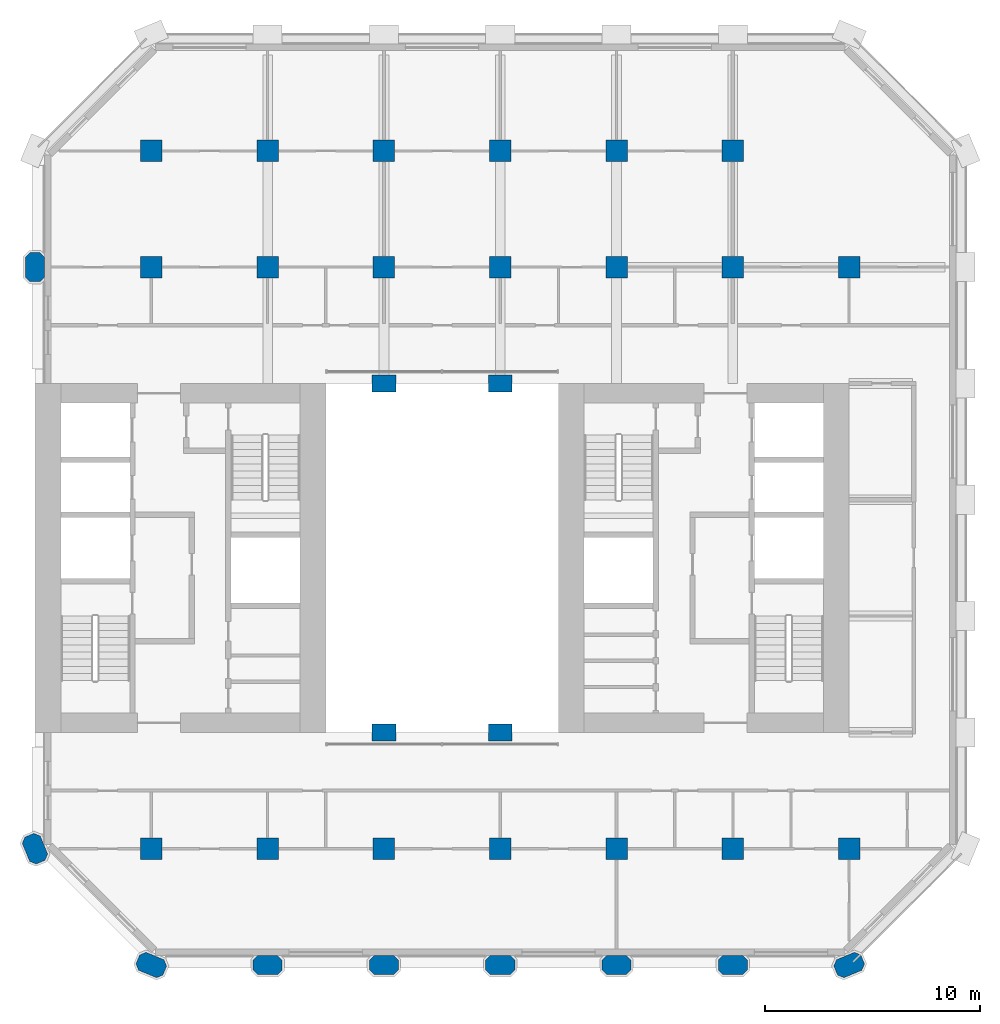
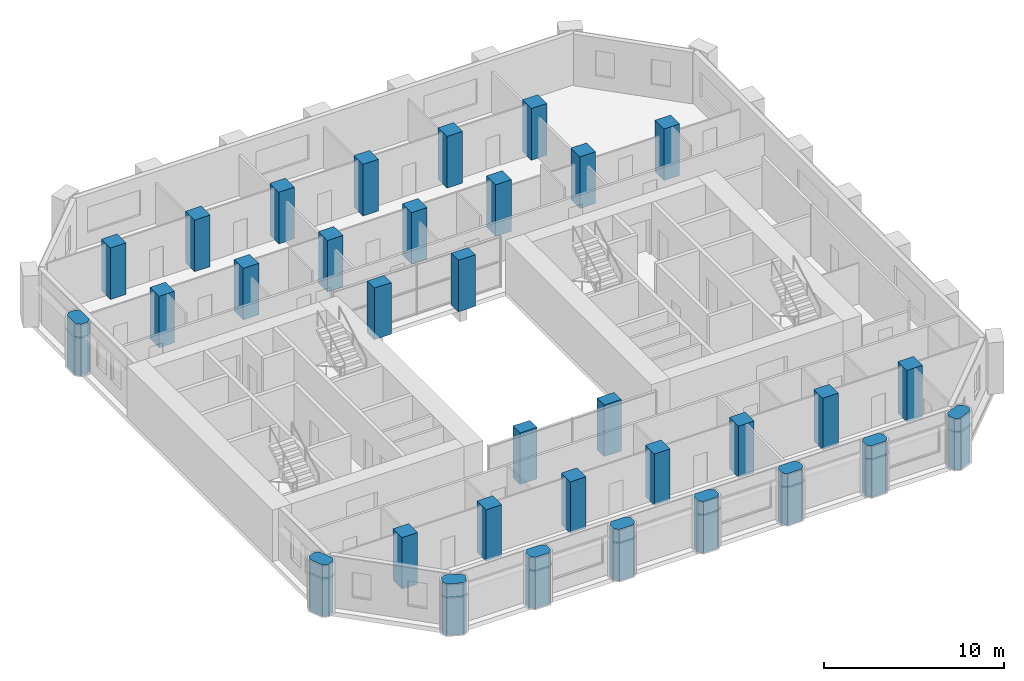
# One storey, part 1 of 11: 33 columns.
"""IFC4 building model written with IfcOpenShell, lengths in metres."""

from ifc_helpers import new_model, si_unit, direction, frame, origin, origin_2d, place, context, subcontext, project, spatial, polyline, rectangle, outline, extrude, material, material_profile, profile_set, type_object, element, save


model = new_model("IFC4")

# Units and contexts
model_context = context("Model", 3, precision=1e-05, world=origin(), true_north=direction((0.0, 1.0)))
body_context = subcontext(model_context, "Body", "Model", "MODEL_VIEW")
ifc_project = project(units=[si_unit("LENGTHUNIT", "METRE"), si_unit("AREAUNIT", "SQUARE_METRE"), si_unit("VOLUMEUNIT", "CUBIC_METRE"), si_unit("PLANEANGLEUNIT", "RADIAN"), si_unit("MASSUNIT", "GRAM", prefix="KILO")], contexts=[model_context])

# Site, building, storey
site_placement = place(None, origin())
site = spatial("IfcSite", under=ifc_project, at=site_placement, CompositionType="ELEMENT")
building_placement = place(site_placement, origin())
building = spatial("IfcBuilding", under=site, at=building_placement, Name="Tabaq Tower and Sports Hall", CompositionType="ELEMENT")
storey_placement = place(building_placement, frame((0.0, 0.0, 76.39990234375)))
storey = spatial("IfcBuildingStorey", under=building, at=storey_placement, Name="L17", CompositionType="ELEMENT", Elevation=76.39990234375)

# Columns
ifc_material_1 = material(Name="Concrete C60/75", Category="concrete")
ifc_material_profile_1 = material_profile(ifc_material_1, rectangle(XDim=1.10009765625, YDim=0.800048828125, at=origin_2d()), Name="ATRIUM COLUMN 1100x800")
ifc_profile_set_1 = profile_set([ifc_material_profile_1], Name="Concrete C60/75")
column_type_1 = type_object("IfcColumnType", Name="RC COLUMN ATRIUM COLUMN 1100x800 C60/75", PredefinedType="COLUMN", material=ifc_profile_set_1)
for number, where, z_axis, x_axis, name in (
    (1, (21.60009765625, 16.199951171875, 0.0), (0.0, 0.0, 1.0), (1.0, 0.0, 0.0), "Atrium Column 5/D L17"),
    (2, (27.0, 16.199951171875, 0.0), (0.0, 0.0, 1.0), (1.0, 0.0, 0.0), "Atrium Column 6/D L17"),
    (3, (21.60009765625, 32.39990234375, 0.0), (0.0, 0.0, 1.0), (1.0, 0.0, 0.0), "Atrium Column 5/G L17"),
    (4, (27.0, 32.39990234375, 0.0), (0.0, 0.0, 1.0), (1.0, 0.0, 0.0), "Atrium Column 6/G L17"),
):
    element("IfcColumn", number, at=place(storey_placement, frame(where, z_axis=z_axis, x_axis=x_axis)), inside=storey, type_object=column_type_1, Name=name, PredefinedType="COLUMN", context=body_context, shape_type="SweptSolid", body=[
        extrude(rectangle(XDim=1.10009765625, YDim=0.800048828125, at=origin_2d()), origin(), (0.0, 0.0, 1.0), 3.5),
    ])
ifc_material_2 = material(Name="Concrete C60/75", Category="concrete")
ifc_material_profile_2 = material_profile(ifc_material_2, rectangle(XDim=1.0, YDim=1.0, at=origin_2d()), Name="COLUMN 1000x1000")
ifc_profile_set_2 = profile_set([ifc_material_profile_2], Name="Concrete C60/75")
column_type_2 = type_object("IfcColumnType", Name="RC COLUMN COLUMN 1000x1000 C60/75", PredefinedType="COLUMN", material=ifc_profile_set_2)
for number, where, z_axis, x_axis, name in (
    (5, (10.800048828125, 10.800048828125, 0.0), (0.0, 0.0, 1.0), (1.0, 0.0, 0.0), "Column 3/C L17"),
    (6, (16.199951171875, 10.800048828125, 0.0), (0.0, 0.0, 1.0), (1.0, 0.0, 0.0), "Column 4/C L17"),
    (7, (21.60009765625, 10.800048828125, 0.0), (0.0, 0.0, 1.0), (1.0, 0.0, 0.0), "Column 5/C L17"),
    (8, (27.0, 10.800048828125, 0.0), (0.0, 0.0, 1.0), (1.0, 0.0, 0.0), "Column 6/C L17"),
    (9, (32.39990234375, 10.800048828125, 0.0), (0.0, 0.0, 1.0), (1.0, 0.0, 0.0), "Column 7/C L17"),
    (10, (37.800048828125, 10.800048828125, 0.0), (0.0, 0.0, 1.0), (1.0, 0.0, 0.0), "Column 8/C L17"),
    (11, (43.199951171875, 10.800048828125, 0.0), (0.0, 0.0, 1.0), (1.0, 0.0, 0.0), "Column 9/C L17"),
    (12, (10.800048828125, 37.800048828125, 0.0), (0.0, 0.0, 1.0), (1.0, 0.0, 0.0), "Column 3/H L17"),
    (13, (16.199951171875, 37.800048828125, 0.0), (0.0, 0.0, 1.0), (1.0, 0.0, 0.0), "Column 4/H L17"),
    (14, (21.60009765625, 37.800048828125, 0.0), (0.0, 0.0, 1.0), (1.0, 0.0, 0.0), "Column 5/H L17"),
    (15, (27.0, 37.800048828125, 0.0), (0.0, 0.0, 1.0), (1.0, 0.0, 0.0), "Column 6/H L17"),
    (16, (32.39990234375, 37.800048828125, 0.0), (0.0, 0.0, 1.0), (1.0, 0.0, 0.0), "Column 7/H L17"),
    (17, (37.800048828125, 37.800048828125, 0.0), (0.0, 0.0, 1.0), (1.0, 0.0, 0.0), "Column 8/H L17"),
    (18, (43.199951171875, 37.800048828125, 0.0), (0.0, 0.0, 1.0), (1.0, 0.0, 0.0), "Column 9/H L17"),
    (19, (10.800048828125, 43.199951171875, 0.0), (0.0, 0.0, 1.0), (1.0, 0.0, 0.0), "Column 3/I L17"),
    (20, (16.199951171875, 43.199951171875, 0.0), (0.0, 0.0, 1.0), (1.0, 0.0, 0.0), "Column 4/I L17"),
    (21, (21.60009765625, 43.199951171875, 0.0), (0.0, 0.0, 1.0), (1.0, 0.0, 0.0), "Column 5/I L17"),
    (22, (27.0, 43.199951171875, 0.0), (0.0, 0.0, 1.0), (1.0, 0.0, 0.0), "Column 6/I L17"),
    (23, (32.39990234375, 43.199951171875, 0.0), (0.0, 0.0, 1.0), (1.0, 0.0, 0.0), "Column 7/I L17"),
    (24, (37.800048828125, 43.199951171875, 0.0), (0.0, 0.0, 1.0), (1.0, 0.0, 0.0), "Column 8/I L17"),
):
    element("IfcColumn", number, at=place(storey_placement, frame(where, z_axis=z_axis, x_axis=x_axis)), inside=storey, type_object=column_type_2, Name=name, PredefinedType="COLUMN", context=body_context, shape_type="SweptSolid", body=[
        extrude(rectangle(XDim=1.0, YDim=1.0, at=origin_2d()), origin(), (0.0, 0.0, 1.0), 3.5),
    ])
ifc_material_3 = material(Name="Concrete C60/75", Category="concrete")
ifc_material_profile_3 = material_profile(ifc_material_3, outline(polyline([(-0.449951171875, -0.449951171875), (0.449951171875, -0.449951171875), (0.675048828125, -0.22509765625), (0.675048828125, 0.22509765625), (0.449951171875, 0.449951171875), (-0.449951171875, 0.449951171875), (-0.675048828125, 0.22509765625), (-0.675048828125, -0.22509765625), (-0.449951171875, -0.449951171875)])), Name="PIER 1350x900")
ifc_profile_set_3 = profile_set([ifc_material_profile_3], Name="Concrete C60/75")
column_type_3 = type_object("IfcColumnType", Name="RC COLUMN PIER 1350x900 C60/75", PredefinedType="COLUMN", material=ifc_profile_set_3)
for number, where, z_axis, x_axis, name in (
    (25, (10.800048828125, 5.39990234375, 0.0), (0.0, 0.0, 1.0), (-0.923879532511, 0.382683432365, 0.0), "Pier 3/B L17"),
    (26, (16.199951171875, 5.39990234375, 0.0), (0.0, 0.0, 1.0), (1.0, 0.0, 0.0), "Pier 4/B L17"),
    (27, (21.60009765625, 5.39990234375, 0.0), (0.0, 0.0, 1.0), (1.0, 0.0, 0.0), "Pier 5/B L17"),
    (28, (27.0, 5.39990234375, 0.0), (0.0, 0.0, 1.0), (1.0, 0.0, 0.0), "Pier 6/B L17"),
    (29, (32.39990234375, 5.39990234375, 0.0), (0.0, 0.0, 1.0), (1.0, 0.0, 0.0), "Pier 7/B L17"),
    (30, (37.800048828125, 5.39990234375, 0.0), (0.0, 0.0, 1.0), (1.0, 0.0, 0.0), "Pier 8/B L17"),
    (31, (43.199951171875, 5.39990234375, 0.0), (0.0, 0.0, 1.0), (0.923879532511, 0.382683432365, 0.0), "Pier 9/B L17"),
    (32, (5.39990234375, 10.800048828125, 0.0), (0.0, 0.0, 1.0), (-0.382683432365, 0.923879532511, 0.0), "Pier 2/C L17"),
    (33, (5.39990234375, 37.800048828125, 0.0), (0.0, 0.0, 1.0), (0.0, 1.0, 0.0), "Pier 2/H L17"),
):
    element("IfcColumn", number, at=place(storey_placement, frame(where, z_axis=z_axis, x_axis=x_axis)), inside=storey, type_object=column_type_3, Name=name, PredefinedType="COLUMN", context=body_context, shape_type="SweptSolid", body=[
        extrude(outline(polyline([(-0.449951171875, -0.449951171875), (0.449951171875, -0.449951171875), (0.675048828125, -0.22509765625), (0.675048828125, 0.22509765625), (0.449951171875, 0.449951171875), (-0.449951171875, 0.449951171875), (-0.675048828125, 0.22509765625), (-0.675048828125, -0.22509765625), (-0.449951171875, -0.449951171875)])), origin(), (0.0, 0.0, 1.0), 3.5),
    ])

save(model, "model.ifc")
